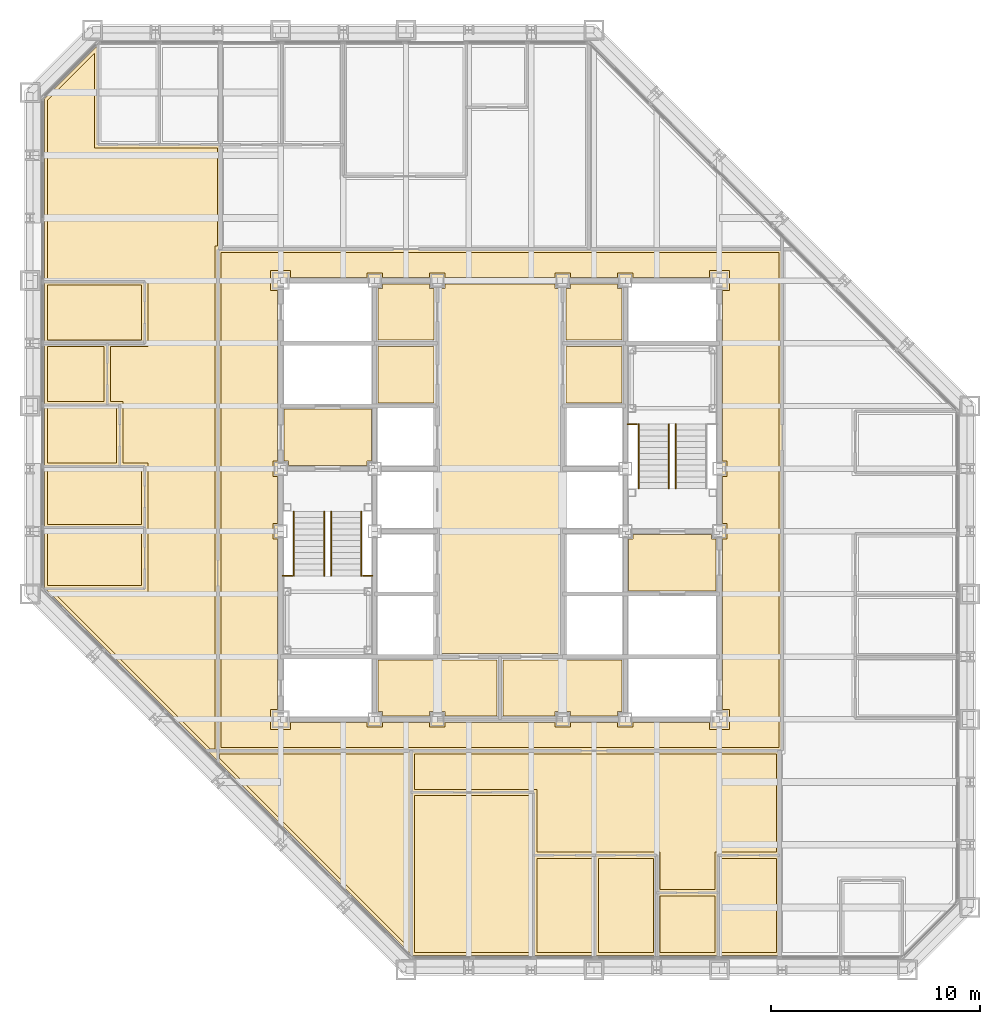
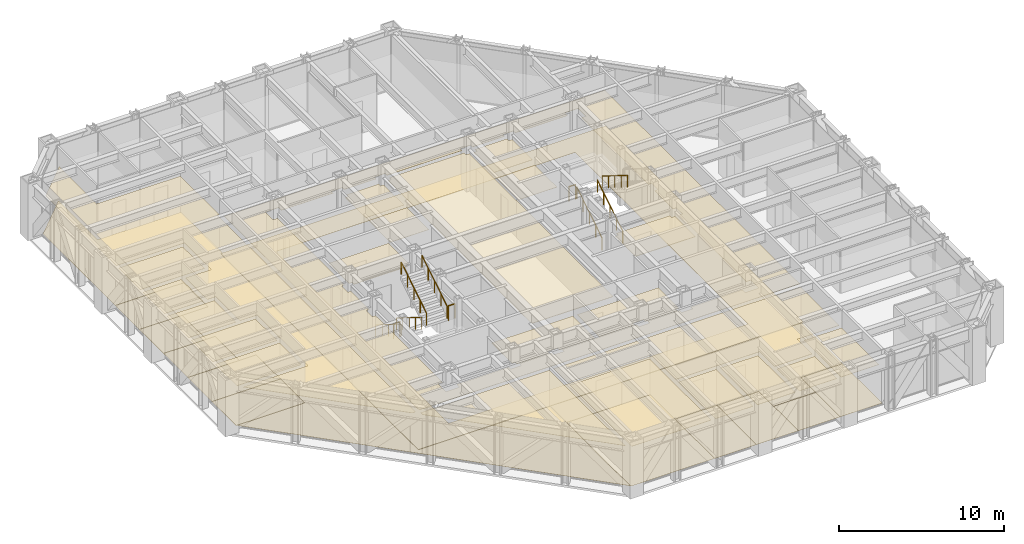
# One storey, part 14 of 16: 36 coverings, 10 railings.
"""IFC4 building model written with IfcOpenShell, lengths in metres."""

from ifc_helpers import new_model, si_unit, direction, frame, origin, origin_2d, place, context, subcontext, project, spatial, polyline, circle, outline, extrude, material, layer, layer_set, type_object, element, save


model = new_model("IFC4")

# Units and contexts
model_context = context("Model", 3, precision=1e-05, world=origin(), true_north=direction((0.0, 1.0)))
body_context = subcontext(model_context, "Body", "Model", "MODEL_VIEW")
ifc_project = project(units=[si_unit("LENGTHUNIT", "METRE"), si_unit("AREAUNIT", "SQUARE_METRE"), si_unit("VOLUMEUNIT", "CUBIC_METRE"), si_unit("PLANEANGLEUNIT", "RADIAN"), si_unit("MASSUNIT", "GRAM", prefix="KILO")], contexts=[model_context])

# Site, building, storey
site_placement = place(None, origin())
site = spatial("IfcSite", under=ifc_project, at=site_placement, CompositionType="ELEMENT")
building_placement = place(site_placement, origin())
building = spatial("IfcBuilding", under=site, at=building_placement, Name="Chuquiago Exchange Tower", CompositionType="ELEMENT")
storey_placement = place(building_placement, frame((0.0, 0.0, 148.800048828125)))
storey = spatial("IfcBuildingStorey", under=building, at=storey_placement, Name="L32", CompositionType="ELEMENT", Elevation=148.800048828125)

# Coverings
ifc_material_1 = material(Name="Mineral fibre tile, 600 x 600, on pale metal grid", Category="mineral fibre")
ifc_layer_1 = layer(ifc_material_1, 0.02001953125)
ifc_layer_set_1 = layer_set([ifc_layer_1], Name="CL1 suspended tile ceiling 20")
covering_type_1 = type_object("IfcCoveringType", Name="CL1 suspended tile ceiling 20", PredefinedType="CEILING", material=ifc_layer_set_1)
covering_1_placement = place(storey_placement, frame((0.0, 0.0, 2.800048828125)))
element("IfcCovering", 1, at=covering_1_placement, inside=storey, type_object=covering_type_1, Name="Ceiling Training room", PredefinedType="CEILING", context=body_context, shape_type="SweptSolid", body=[
    extrude(outline(polyline([(18.3984375, 8.35009765625), (23.974365234375, 8.35009765625), (23.974365234375, 0.85009765625), (18.3984375, 0.85009765625), (18.3984375, 8.35009765625)])), origin(), (0.0, 0.0, 1.0), 0.02001953125),
])
covering_2_placement = place(storey_placement, frame((0.0, 0.0, 2.800048828125)))
element("IfcCovering", 2, at=covering_2_placement, inside=storey, type_object=covering_type_1, Name="Ceiling Office", PredefinedType="CEILING", context=body_context, shape_type="SweptSolid", body=[
    extrude(outline(polyline([(24.2744140625, 5.35009765625), (26.912109375, 5.35009765625), (26.912109375, 0.85009765625), (24.2744140625, 0.85009765625), (24.2744140625, 5.35009765625)])), origin(), (0.0, 0.0, 1.0), 0.02001953125),
])
covering_3_placement = place(storey_placement, frame((0.0, 0.0, 2.800048828125)))
element("IfcCovering", 3, at=covering_3_placement, inside=storey, type_object=covering_type_1, Name="Ceiling Office", PredefinedType="CEILING", context=body_context, shape_type="SweptSolid", body=[
    extrude(outline(polyline([(27.212158203125, 5.35009765625), (29.85009765625, 5.35009765625), (29.85009765625, 0.85009765625), (27.212158203125, 0.85009765625), (27.212158203125, 5.35009765625)])), origin(), (0.0, 0.0, 1.0), 0.02001953125),
])
covering_4_placement = place(storey_placement, frame((0.0, 0.0, 2.800048828125)))
element("IfcCovering", 4, at=covering_4_placement, inside=storey, type_object=covering_type_1, Name="Ceiling Focus room", PredefinedType="CEILING", context=body_context, shape_type="SweptSolid", body=[
    extrude(outline(polyline([(30.14990234375, 3.550048828125), (32.787841796875, 3.550048828125), (32.787841796875, 0.85009765625), (30.14990234375, 0.85009765625), (30.14990234375, 3.550048828125)])), origin(), (0.0, 0.0, 1.0), 0.02001953125),
])
covering_5_placement = place(storey_placement, frame((0.0, 0.0, 2.800048828125)))
element("IfcCovering", 5, at=covering_5_placement, inside=storey, type_object=covering_type_1, Name="Ceiling Office", PredefinedType="CEILING", context=body_context, shape_type="SweptSolid", body=[
    extrude(outline(polyline([(33.087890625, 5.35009765625), (35.7255859375, 5.35009765625), (35.7255859375, 0.85009765625), (33.087890625, 0.85009765625), (33.087890625, 5.35009765625)])), origin(), (0.0, 0.0, 1.0), 0.02001953125),
])
covering_6_placement = place(storey_placement, frame((0.0, 0.0, 2.800048828125)))
element("IfcCovering", 6, at=covering_6_placement, inside=storey, type_object=covering_type_1, Name="Ceiling Office", PredefinedType="CEILING", context=body_context, shape_type="SweptSolid", body=[
    extrude(outline(polyline([(0.85009765625, 21.036376953125), (5.35009765625, 21.036376953125), (5.35009765625, 18.3984375), (0.85009765625, 18.3984375), (0.85009765625, 21.036376953125)])), origin(), (0.0, 0.0, 1.0), 0.02001953125),
])
covering_7_placement = place(storey_placement, frame((0.0, 0.0, 2.800048828125)))
element("IfcCovering", 7, at=covering_7_placement, inside=storey, type_object=covering_type_1, Name="Ceiling Office", PredefinedType="CEILING", context=body_context, shape_type="SweptSolid", body=[
    extrude(outline(polyline([(5.35009765625, 23.974365234375), (5.35009765625, 21.33642578125), (0.85009765625, 21.33642578125), (0.85009765625, 23.974365234375), (5.35009765625, 23.974365234375)])), origin(), (0.0, 0.0, 1.0), 0.02001953125),
])
covering_8_placement = place(storey_placement, frame((0.0, 0.0, 2.800048828125)))
element("IfcCovering", 8, at=covering_8_placement, inside=storey, type_object=covering_type_1, Name="Ceiling Pantry", PredefinedType="CEILING", context=body_context, shape_type="SweptSolid", body=[
    extrude(outline(polyline([(4.14990234375, 26.912109375), (4.14990234375, 24.2744140625), (0.85009765625, 24.2744140625), (0.85009765625, 26.912109375), (4.14990234375, 26.912109375)])), origin(), (0.0, 0.0, 1.0), 0.02001953125),
])
covering_9_placement = place(storey_placement, frame((0.0, 0.0, 2.800048828125)))
element("IfcCovering", 9, at=covering_9_placement, inside=storey, type_object=covering_type_1, Name="Ceiling Focus room", PredefinedType="CEILING", context=body_context, shape_type="SweptSolid", body=[
    extrude(outline(polyline([(3.550048828125, 29.85009765625), (3.550048828125, 27.212158203125), (0.85009765625, 27.212158203125), (0.85009765625, 29.85009765625), (3.550048828125, 29.85009765625)])), origin(), (0.0, 0.0, 1.0), 0.02001953125),
])
covering_10_placement = place(storey_placement, frame((0.0, 0.0, 2.800048828125)))
element("IfcCovering", 10, at=covering_10_placement, inside=storey, type_object=covering_type_1, Name="Ceiling Meeting room", PredefinedType="CEILING", context=body_context, shape_type="SweptSolid", body=[
    extrude(outline(polyline([(5.35009765625, 32.787841796875), (5.35009765625, 30.14990234375), (0.85009765625, 30.14990234375), (0.85009765625, 32.787841796875), (5.35009765625, 32.787841796875)])), origin(), (0.0, 0.0, 1.0), 0.02001953125),
])
covering_11_placement = place(storey_placement, frame((0.0, 0.0, 2.800048828125)))
element("IfcCovering", 11, at=covering_11_placement, inside=storey, type_object=covering_type_1, Name="Ceiling Open office south suite", PredefinedType="CEILING", context=body_context, shape_type="SweptSolid", body=[
    extrude(outline(polyline([(32.787841796875, 3.85009765625), (30.14990234375, 3.85009765625), (30.14990234375, 5.64990234375), (24.2744140625, 5.64990234375), (24.2744140625, 8.64990234375), (18.39892578125, 8.64990234375), (18.39892578125, 10.349609375), (35.72509765625, 10.349609375), (35.72509765625, 5.64990234375), (32.787841796875, 5.64990234375), (32.787841796875, 3.85009765625)])), origin(), (0.0, 0.0, 1.0), 0.02001953125),
])
covering_12_placement = place(storey_placement, frame((0.0, 0.0, 2.800048828125)))
element("IfcCovering", 12, at=covering_12_placement, inside=storey, type_object=covering_type_1, Name="Ceiling Open office west suite", PredefinedType="CEILING", context=body_context, shape_type="SweptSolid", body=[
    extrude(outline(polyline([(3.098388671875, 39.35009765625), (8.973876953125, 39.35009765625), (8.973876953125, 34.64990234375), (8.849609375, 34.6494140625), (8.849609375, 10.5849609375), (8.616943359375, 10.5849609375), (1.103515625, 18.098388671875), (5.64990234375, 18.098388671875), (5.64990234375, 24.2744140625), (4.449951171875, 24.2744140625), (4.449951171875, 27.212158203125), (3.85009765625, 27.212158203125), (3.85009765625, 29.85009765625), (5.64990234375, 29.85009765625), (5.64990234375, 33.087890625), (0.85009765625, 33.087890625), (0.85009765625, 41.64794921875), (3.098388671875, 43.896484375), (3.098388671875, 39.35009765625)])), origin(), (0.0, 0.0, 1.0), 0.02001953125),
])
covering_13_placement = place(storey_placement, frame((0.0, 0.0, 2.800048828125)))
element("IfcCovering", 13, at=covering_13_placement, inside=storey, type_object=covering_type_1, Name="Ceiling Open office west suite", PredefinedType="CEILING", context=body_context, shape_type="SweptSolid", body=[
    extrude(outline(polyline([(18.097900390625, 10.349609375), (18.097900390625, 1.10400390625), (9.0849609375, 10.116943359375), (9.0849609375, 10.349853515625), (18.097900390625, 10.349609375)])), origin(), (0.0, 0.0, 1.0), 0.02001953125),
])
covering_14_placement = place(storey_placement, frame((0.0, 0.0, 2.800048828125)))
element("IfcCovering", 14, at=covering_14_placement, inside=storey, type_object=covering_type_1, Name="Ceiling Tenant corridor", PredefinedType="CEILING", context=body_context, shape_type="SweptSolid", body=[
    extrude(outline(polyline([(9.14990234375, 34.35009765625), (35.85009765625, 34.35009765625), (35.85009765625, 10.64990234375), (9.14990234375, 10.64990234375), (9.14990234375, 34.35009765625)]), holes=[polyline([(11.85009765625, 24.375), (11.625, 24.375), (11.625, 23.625), (11.85009765625, 23.625), (11.85009765625, 21.375), (11.625, 21.375), (11.625, 20.625), (11.85009765625, 20.625), (11.85009765625, 12.47509765625), (11.52490234375, 12.47509765625), (11.52490234375, 11.52490234375), (12.47509765625, 11.52490234375), (12.47509765625, 11.85009765625), (16.125, 11.85009765625), (16.125, 11.625), (16.875, 11.625), (16.875, 11.85009765625), (19.125, 11.85009765625), (19.125, 11.625), (19.875, 11.625), (19.875, 11.85009765625), (25.125, 11.85009765625), (25.125, 11.625), (25.875, 11.625), (25.875, 11.85009765625), (28.125, 11.85009765625), (28.125, 11.625), (28.875, 11.625), (28.875, 11.85009765625), (32.52490234375, 11.85009765625), (32.52490234375, 11.52490234375), (33.47509765625, 11.52490234375), (33.47509765625, 12.47509765625), (33.14990234375, 12.47509765625), (33.14990234375, 20.625), (33.375, 20.625), (33.375, 21.375), (33.14990234375, 21.375), (33.14990234375, 23.625), (33.375, 23.625), (33.375, 24.375), (33.14990234375, 24.375), (33.14990234375, 32.52490234375), (33.47509765625, 32.52490234375), (33.47509765625, 33.47509765625), (32.52490234375, 33.47509765625), (32.52490234375, 33.14990234375), (28.875, 33.14990234375), (28.875, 33.375), (28.125, 33.375), (28.125, 33.14990234375), (25.875, 33.14990234375), (25.875, 33.375), (25.125, 33.375), (25.125, 33.14990234375), (19.875, 33.14990234375), (19.875, 33.375), (19.125, 33.375), (19.125, 33.14990234375), (16.875, 33.14990234375), (16.875, 33.375), (16.125, 33.375), (16.125, 33.14990234375), (12.47509765625, 33.14990234375), (12.47509765625, 33.47509765625), (11.52490234375, 33.47509765625), (11.52490234375, 32.52490234375), (11.85009765625, 32.52490234375), (11.85009765625, 24.375)])]), origin(), (0.0, 0.0, 1.0), 0.02001953125),
])
covering_15_placement = place(storey_placement, frame((0.0, 0.0, 2.800048828125)))
element("IfcCovering", 15, at=covering_15_placement, inside=storey, type_object=covering_type_1, Name="Ceiling Baby change room", PredefinedType="CEILING", context=body_context, shape_type="SweptSolid", body=[
    extrude(outline(polyline([(25.64990234375, 30.14990234375), (25.64990234375, 32.625), (25.875, 32.625), (25.875, 32.85009765625), (28.125, 32.85009765625), (28.125, 32.625), (28.35009765625, 32.625), (28.35009765625, 30.14990234375), (25.64990234375, 30.14990234375)])), origin(), (0.0, 0.0, 1.0), 0.02001953125),
])
ifc_material_2 = material(Name="Moisture resistant plasterboard on metal frame", Category="gypsum")
ifc_layer_2 = layer(ifc_material_2, 0.014892578125)
ifc_layer_set_2 = layer_set([ifc_layer_2], Name="CL2 moisture resistant ceiling 15")
covering_type_2 = type_object("IfcCoveringType", Name="CL2 moisture resistant ceiling 15", PredefinedType="CEILING", material=ifc_layer_set_2)
covering_16_placement = place(storey_placement, frame((0.0, 0.0, 2.599853515625)))
element("IfcCovering", 16, at=covering_16_placement, inside=storey, type_object=covering_type_2, Name="Ceiling Male WC", PredefinedType="CEILING", context=body_context, shape_type="SweptSolid", body=[
    extrude(outline(polyline([(16.64990234375, 27.14990234375), (16.64990234375, 29.85009765625), (19.35009765625, 29.85009765625), (19.35009765625, 27.14990234375), (16.64990234375, 27.14990234375)])), origin(), (0.0, 0.0, 1.0), 0.01513671875),
])
covering_17_placement = place(storey_placement, frame((0.0, 0.0, 2.599853515625)))
element("IfcCovering", 17, at=covering_17_placement, inside=storey, type_object=covering_type_2, Name="Ceiling Staff shower room", PredefinedType="CEILING", context=body_context, shape_type="SweptSolid", body=[
    extrude(outline(polyline([(16.64990234375, 30.14990234375), (16.64990234375, 32.625), (16.875, 32.625), (16.875, 32.85009765625), (19.125, 32.85009765625), (19.125, 32.625), (19.35009765625, 32.625), (19.35009765625, 30.14990234375), (16.64990234375, 30.14990234375)])), origin(), (0.0, 0.0, 1.0), 0.01513671875),
])
covering_18_placement = place(storey_placement, frame((0.0, 0.0, 2.599853515625)))
element("IfcCovering", 18, at=covering_18_placement, inside=storey, type_object=covering_type_2, Name="Ceiling Female WC", PredefinedType="CEILING", context=body_context, shape_type="SweptSolid", body=[
    extrude(outline(polyline([(25.64990234375, 27.14990234375), (25.64990234375, 29.85009765625), (28.35009765625, 29.85009765625), (28.35009765625, 27.14990234375), (25.64990234375, 27.14990234375)])), origin(), (0.0, 0.0, 1.0), 0.01513671875),
])
covering_19_placement = place(storey_placement, frame((0.0, 0.0, 2.599853515625)))
element("IfcCovering", 19, at=covering_19_placement, inside=storey, type_object=covering_type_2, Name="Ceiling Accessible WC", PredefinedType="CEILING", context=body_context, shape_type="SweptSolid", body=[
    extrude(outline(polyline([(25.875, 12.14990234375), (25.875, 12.375), (25.125, 12.375), (25.125, 12.14990234375), (22.64990234375, 12.14990234375), (22.64990234375, 14.85009765625), (28.35009765625, 14.85009765625), (28.35009765625, 12.375), (28.125, 12.375), (28.125, 12.14990234375), (25.875, 12.14990234375)])), origin(), (0.0, 0.0, 1.0), 0.01513671875),
])
covering_20_placement = place(storey_placement, frame((0.0, 0.0, 2.599853515625)))
element("IfcCovering", 20, at=covering_20_placement, inside=storey, type_object=covering_type_2, Name="Ceiling Cleaner", PredefinedType="CEILING", context=body_context, shape_type="SweptSolid", body=[
    extrude(outline(polyline([(19.875, 12.14990234375), (19.875, 12.375), (19.125, 12.375), (19.125, 12.14990234375), (16.875, 12.14990234375), (16.875, 12.375), (16.64990234375, 12.375), (16.64990234375, 14.85009765625), (22.35009765625, 14.85009765625), (22.35009765625, 12.14990234375), (19.875, 12.14990234375)])), origin(), (0.0, 0.0, 1.0), 0.01513671875),
])
ifc_material_3 = material(Name="Pale metal plank ceiling, perforated", Category="aluminium")
ifc_layer_3 = layer(ifc_material_3, 0.030029296875)
ifc_layer_set_3 = layer_set([ifc_layer_3], Name="CL3 metal plank ceiling 30")
covering_type_3 = type_object("IfcCoveringType", Name="CL3 metal plank ceiling 30", PredefinedType="CEILING", material=ifc_layer_set_3)
covering_21_placement = place(storey_placement, frame((0.0, 0.0, 2.800048828125)))
element("IfcCovering", 21, at=covering_21_placement, inside=storey, type_object=covering_type_3, Name="Ceiling Lift lobby", PredefinedType="CEILING", context=body_context, shape_type="SweptSolid", body=[
    extrude(outline(polyline([(19.64990234375, 15.14990234375), (19.64990234375, 32.625), (19.875, 32.625), (19.875, 32.85009765625), (25.125, 32.85009765625), (25.125, 32.625), (25.35009765625, 32.625), (25.35009765625, 15.14990234375), (19.64990234375, 15.14990234375)])), origin(), (0.0, 0.0, 1.0), 0.02978515625),
])
covering_22_placement = place(storey_placement, frame((0.0, 0.0, 2.800048828125)))
element("IfcCovering", 22, at=covering_22_placement, inside=storey, type_object=covering_type_3, Name="Ceiling Firefighting lobby", PredefinedType="CEILING", context=body_context, shape_type="SweptSolid", body=[
    extrude(outline(polyline([(12.375, 24.14990234375), (12.375, 24.375), (12.14990234375, 24.375), (12.14990234375, 26.85009765625), (16.35009765625, 26.85009765625), (16.35009765625, 24.375), (16.125, 24.375), (16.125, 24.14990234375), (12.375, 24.14990234375)])), origin(), (0.0, 0.0, 1.0), 0.02978515625),
])
covering_23_placement = place(storey_placement, frame((0.0, 0.0, 2.800048828125)))
element("IfcCovering", 23, at=covering_23_placement, inside=storey, type_object=covering_type_3, Name="Ceiling Firefighting lobby", PredefinedType="CEILING", context=body_context, shape_type="SweptSolid", body=[
    extrude(outline(polyline([(28.64990234375, 18.14990234375), (28.64990234375, 20.625), (28.875, 20.625), (28.875, 20.85009765625), (32.625, 20.85009765625), (32.625, 20.625), (32.85009765625, 20.625), (32.85009765625, 18.14990234375), (28.64990234375, 18.14990234375)])), origin(), (0.0, 0.0, 1.0), 0.02978515625),
])
ifc_material_4 = material(Name="Carpet tile, 500 x 500, on the floor slab", Category="textile")
ifc_layer_4 = layer(ifc_material_4, 0.010009765625)
ifc_layer_set_4 = layer_set([ifc_layer_4], Name="FL1 carpet tile 10")
covering_type_4 = type_object("IfcCoveringType", Name="FL1 carpet tile 10", PredefinedType="FLOORING", material=ifc_layer_set_4)
covering_24_placement = place(storey_placement, origin())
element("IfcCovering", 24, at=covering_24_placement, inside=storey, type_object=covering_type_4, Name="Floor finish Training room", PredefinedType="FLOORING", context=body_context, shape_type="SweptSolid", body=[
    extrude(outline(polyline([(18.289794921875, 0.699951171875), (18.24853515625, 0.741455078125), (18.24853515625, 8.5), (24.124267578125, 8.5), (24.124267578125, 0.699951171875), (18.289794921875, 0.699951171875)])), origin(), (0.0, 0.0, 1.0), 0.010009765625),
])
covering_25_placement = place(storey_placement, origin())
element("IfcCovering", 25, at=covering_25_placement, inside=storey, type_object=covering_type_4, Name="Floor finish Office", PredefinedType="FLOORING", context=body_context, shape_type="SweptSolid", body=[
    extrude(outline(polyline([(24.124267578125, 0.699951171875), (24.124267578125, 5.5), (27.06201171875, 5.5), (27.06201171875, 0.699951171875), (24.124267578125, 0.699951171875)])), origin(), (0.0, 0.0, 1.0), 0.010009765625),
])
covering_26_placement = place(storey_placement, origin())
element("IfcCovering", 26, at=covering_26_placement, inside=storey, type_object=covering_type_4, Name="Floor finish Office", PredefinedType="FLOORING", context=body_context, shape_type="SweptSolid", body=[
    extrude(outline(polyline([(27.06201171875, 0.699951171875), (27.06201171875, 5.5), (30.0, 5.5), (30.0, 0.699951171875), (27.06201171875, 0.699951171875)])), origin(), (0.0, 0.0, 1.0), 0.010009765625),
])
covering_27_placement = place(storey_placement, origin())
element("IfcCovering", 27, at=covering_27_placement, inside=storey, type_object=covering_type_4, Name="Floor finish Focus room", PredefinedType="FLOORING", context=body_context, shape_type="SweptSolid", body=[
    extrude(outline(polyline([(30.0, 0.699951171875), (30.0, 3.699951171875), (32.93798828125, 3.699951171875), (32.93798828125, 0.699951171875), (30.0, 0.699951171875)])), origin(), (0.0, 0.0, 1.0), 0.010009765625),
])
covering_28_placement = place(storey_placement, origin())
element("IfcCovering", 28, at=covering_28_placement, inside=storey, type_object=covering_type_4, Name="Floor finish Office", PredefinedType="FLOORING", context=body_context, shape_type="SweptSolid", body=[
    extrude(outline(polyline([(32.93798828125, 0.699951171875), (32.93798828125, 5.5), (35.875732421875, 5.5), (35.875732421875, 0.699951171875), (32.93798828125, 0.699951171875)])), origin(), (0.0, 0.0, 1.0), 0.010009765625),
])
covering_29_placement = place(storey_placement, origin())
element("IfcCovering", 29, at=covering_29_placement, inside=storey, type_object=covering_type_4, Name="Floor finish Office", PredefinedType="FLOORING", context=body_context, shape_type="SweptSolid", body=[
    extrude(outline(polyline([(0.699951171875, 21.186279296875), (5.5, 21.186279296875), (5.5, 18.24853515625), (0.741455078125, 18.24853515625), (0.699951171875, 18.289794921875), (0.699951171875, 21.186279296875)])), origin(), (0.0, 0.0, 1.0), 0.010009765625),
])
covering_30_placement = place(storey_placement, origin())
element("IfcCovering", 30, at=covering_30_placement, inside=storey, type_object=covering_type_4, Name="Floor finish Office", PredefinedType="FLOORING", context=body_context, shape_type="SweptSolid", body=[
    extrude(outline(polyline([(0.699951171875, 24.124267578125), (5.5, 24.124267578125), (5.5, 21.186279296875), (0.699951171875, 21.186279296875), (0.699951171875, 24.124267578125)])), origin(), (0.0, 0.0, 1.0), 0.010009765625),
])
covering_31_placement = place(storey_placement, origin())
element("IfcCovering", 31, at=covering_31_placement, inside=storey, type_object=covering_type_4, Name="Floor finish Focus room", PredefinedType="FLOORING", context=body_context, shape_type="SweptSolid", body=[
    extrude(outline(polyline([(0.699951171875, 30.0), (3.699951171875, 30.0), (3.699951171875, 27.06201171875), (0.699951171875, 27.06201171875), (0.699951171875, 30.0)])), origin(), (0.0, 0.0, 1.0), 0.010009765625),
])
covering_32_placement = place(storey_placement, origin())
element("IfcCovering", 32, at=covering_32_placement, inside=storey, type_object=covering_type_4, Name="Floor finish Meeting room", PredefinedType="FLOORING", context=body_context, shape_type="SweptSolid", body=[
    extrude(outline(polyline([(0.699951171875, 32.93798828125), (5.5, 32.93798828125), (5.5, 30.0), (0.699951171875, 30.0), (0.699951171875, 32.93798828125)])), origin(), (0.0, 0.0, 1.0), 0.010009765625),
])
covering_33_placement = place(storey_placement, origin())
element("IfcCovering", 33, at=covering_33_placement, inside=storey, type_object=covering_type_4, Name="Floor finish Open office south suite", PredefinedType="FLOORING", context=body_context, shape_type="SweptSolid", body=[
    extrude(outline(polyline([(32.93798828125, 5.5), (32.93798828125, 3.699951171875), (30.0, 3.699951171875), (30.0, 5.5), (24.124267578125, 5.5), (24.124267578125, 8.5), (18.2490234375, 8.5), (18.2490234375, 10.49951171875), (35.875244140625, 10.49951171875), (35.875244140625, 5.5), (32.93798828125, 5.5)])), origin(), (0.0, 0.0, 1.0), 0.010009765625),
])
covering_34_placement = place(storey_placement, origin())
element("IfcCovering", 34, at=covering_34_placement, inside=storey, type_object=covering_type_4, Name="Floor finish Open office west suite", PredefinedType="FLOORING", context=body_context, shape_type="SweptSolid", body=[
    extrude(outline(polyline([(3.24853515625, 44.258544921875), (3.24853515625, 39.5), (9.123779296875, 39.5), (9.123779296875, 34.50048828125), (8.99951171875, 34.5), (8.99951171875, 10.5), (18.248046875, 10.49951171875), (18.248046875, 0.741943359375), (0.741455078125, 18.24853515625), (5.5, 18.24853515625), (5.5, 24.124267578125), (4.300048828125, 24.124267578125), (4.300048828125, 27.06201171875), (3.699951171875, 27.06201171875), (3.699951171875, 30.0), (5.5, 30.0), (5.5, 32.93798828125), (0.699951171875, 32.93798828125), (0.699951171875, 41.710205078125), (3.289794921875, 44.300048828125), (3.24853515625, 44.258544921875)])), origin(), (0.0, 0.0, 1.0), 0.010009765625),
])
ifc_material_5 = material(Name="Porcelain floor tile, 600 x 600, on adhesive bed", Category="ceramic")
ifc_layer_5 = layer(ifc_material_5, 0.014892578125)
ifc_layer_set_5 = layer_set([ifc_layer_5], Name="FL2 porcelain tile 15")
covering_type_5 = type_object("IfcCoveringType", Name="FL2 porcelain tile 15", PredefinedType="FLOORING", material=ifc_layer_set_5)
covering_35_placement = place(storey_placement, origin())
element("IfcCovering", 35, at=covering_35_placement, inside=storey, type_object=covering_type_5, Name="Floor finish Pantry", PredefinedType="FLOORING", context=body_context, shape_type="SweptSolid", body=[
    extrude(outline(polyline([(0.699951171875, 27.06201171875), (4.300048828125, 27.06201171875), (4.300048828125, 24.124267578125), (0.699951171875, 24.124267578125), (0.699951171875, 27.06201171875)])), origin(), (0.0, 0.0, 1.0), 0.014892578125),
])
covering_36_placement = place(storey_placement, origin())
element("IfcCovering", 36, at=covering_36_placement, inside=storey, type_object=covering_type_5, Name="Floor finish Tenant corridor", PredefinedType="FLOORING", context=body_context, shape_type="SweptSolid", body=[
    extrude(outline(polyline([(9.0, 10.5), (9.0, 34.5), (36.0, 34.5), (36.0, 10.5), (9.0, 10.5)]), holes=[polyline([(12.0, 33.0), (12.0, 12.0), (33.0, 12.0), (33.0, 33.0), (12.0, 33.0)])]), origin(), (0.0, 0.0, 1.0), 0.014892578125),
])

# Railings
ifc_material_6 = material(Name="Pale metal guard with safety glass infill", Category="glass")
railing_type_1 = type_object("IfcRailingType", Name="GR1 guard 1100", PredefinedType="GUARDRAIL", material=ifc_material_6)
for number, where, name in (
    (37, (12.10009765625, 18.8701171875, 2.099853515625), "Guard ST1 L32 landing 2"),
    (38, (15.945068359375, 18.8701171875, 2.099853515625), "Guard ST1 L32 landing 2"),
    (39, (28.60009765625, 26.1298828125, 2.099853515625), "Guard ST2 L32 landing 2"),
):
    element("IfcRailing", number, at=place(storey_placement, frame(where)), inside=storey, type_object=railing_type_1, Name=name, PredefinedType="GUARDRAIL", context=body_context, shape_type="SweptSolid", body=[
        extrude(circle(Radius=0.02392578125, at=origin_2d()), frame((0.0, 0.0, 1.076171875), z_axis=(1.0, 0.0, 0.0), x_axis=(0.0, 1.0, 0.0)), (0.0, 0.0, 1.0), 0.454833984375),
        extrude(circle(Radius=0.02099609375, at=origin_2d()), origin(), (0.0, 0.0, 1.0), 1.052001953125),
        extrude(circle(Radius=0.02099609375, at=origin_2d()), frame((0.454833984375, 0.0, 0.0)), (0.0, 0.0, 1.0), 1.052001953125),
    ])
ifc_material_7 = material(Name="Pale metal handrail", Category="steel")
railing_type_2 = type_object("IfcRailingType", Name="HR1 handrail 900", PredefinedType="HANDRAIL", material=ifc_material_7)
for number, where, name in (
    (40, (12.635009765625, 21.949951171875, 0.175048828125), "Handrail ST1 L32 flight 1"),
    (41, (14.0849609375, 21.949951171875, 0.175048828125), "Handrail ST1 L32 flight 1"),
):
    element("IfcRailing", number, at=place(storey_placement, frame(where)), inside=storey, type_object=railing_type_2, Name=name, PredefinedType="HANDRAIL", context=body_context, shape_type="SweptSolid", body=[
        extrude(circle(Radius=0.02392578125, at=origin_2d()), frame((0.0, 0.0, 0.8759765625), z_axis=(0.0, -0.848009633417, 0.529980812513), x_axis=(1.0, 0.0, 0.0)), (0.0, 0.0, 1.0), 3.6318359375),
        extrude(circle(Radius=0.02099609375, at=origin_2d()), origin(), (0.0, 0.0, 1.0), 0.851806640625),
        extrude(circle(Radius=0.02099609375, at=origin_2d()), frame((0.0, -0.77001953125, 0.481201171875)), (0.0, 0.0, 1.0), 0.851806640625),
        extrude(circle(Radius=0.02099609375, at=origin_2d()), frame((0.0, -1.5400390625, 0.96240234375)), (0.0, 0.0, 1.0), 0.851806640625),
        extrude(circle(Radius=0.02099609375, at=origin_2d()), frame((0.0, -2.309814453125, 1.443603515625)), (0.0, 0.0, 1.0), 0.851806640625),
        extrude(circle(Radius=0.02099609375, at=origin_2d()), frame((0.0, -3.079833984375, 1.9248046875)), (0.0, 0.0, 1.0), 0.851806640625),
    ])
for number, where, name in (
    (42, (15.864990234375, 18.8701171875, 2.27490234375), "Handrail ST1 L32 flight 2"),
    (43, (14.4150390625, 18.8701171875, 2.27490234375), "Handrail ST1 L32 flight 2"),
):
    element("IfcRailing", number, at=place(storey_placement, frame(where)), inside=storey, type_object=railing_type_2, Name=name, PredefinedType="HANDRAIL", context=body_context, shape_type="SweptSolid", body=[
        extrude(circle(Radius=0.02392578125, at=origin_2d()), frame((0.0, 0.0, 0.8759765625), z_axis=(0.0, 0.847979421464, 0.530029150871), x_axis=(-1.0, 0.0, 0.0)), (0.0, 0.0, 1.0), 3.632080078125),
        extrude(circle(Radius=0.02099609375, at=origin_2d()), origin(), (0.0, 0.0, 1.0), 0.851806640625),
        extrude(circle(Radius=0.02099609375, at=origin_2d()), frame((0.0, 0.77001953125, 0.481201171875)), (0.0, 0.0, 1.0), 0.851806640625),
        extrude(circle(Radius=0.02099609375, at=origin_2d()), frame((0.0, 1.5400390625, 0.96240234375)), (0.0, 0.0, 1.0), 0.851806640625),
        extrude(circle(Radius=0.02099609375, at=origin_2d()), frame((0.0, 2.309814453125, 1.44384765625)), (0.0, 0.0, 1.0), 0.851806640625),
        extrude(circle(Radius=0.02099609375, at=origin_2d()), frame((0.0, 3.079833984375, 1.925048828125)), (0.0, 0.0, 1.0), 0.851806640625),
    ])
for number, where, name in (
    (44, (30.5849609375, 23.050048828125, 0.175048828125), "Handrail ST2 L32 flight 1"),
    (45, (29.135009765625, 23.050048828125, 0.175048828125), "Handrail ST2 L32 flight 1"),
):
    element("IfcRailing", number, at=place(storey_placement, frame(where)), inside=storey, type_object=railing_type_2, Name=name, PredefinedType="HANDRAIL", context=body_context, shape_type="SweptSolid", body=[
        extrude(circle(Radius=0.02392578125, at=origin_2d()), frame((0.0, 0.0, 0.8759765625), z_axis=(0.0, 0.848009633417, 0.529980812513), x_axis=(-1.0, 0.0, 0.0)), (0.0, 0.0, 1.0), 3.6318359375),
        extrude(circle(Radius=0.02099609375, at=origin_2d()), origin(), (0.0, 0.0, 1.0), 0.851806640625),
        extrude(circle(Radius=0.02099609375, at=origin_2d()), frame((0.0, 0.77001953125, 0.481201171875)), (0.0, 0.0, 1.0), 0.851806640625),
        extrude(circle(Radius=0.02099609375, at=origin_2d()), frame((0.0, 1.5400390625, 0.96240234375)), (0.0, 0.0, 1.0), 0.851806640625),
        extrude(circle(Radius=0.02099609375, at=origin_2d()), frame((0.0, 2.309814453125, 1.443603515625)), (0.0, 0.0, 1.0), 0.851806640625),
        extrude(circle(Radius=0.02099609375, at=origin_2d()), frame((0.0, 3.079833984375, 1.9248046875)), (0.0, 0.0, 1.0), 0.851806640625),
    ])
railing_placement = place(storey_placement, frame((30.9150390625, 26.1298828125, 2.27490234375)))
element("IfcRailing", 46, at=railing_placement, inside=storey, type_object=railing_type_2, Name="Handrail ST2 L32 flight 2", PredefinedType="HANDRAIL", context=body_context, shape_type="SweptSolid", body=[
    extrude(circle(Radius=0.02392578125, at=origin_2d()), frame((0.0, 0.0, 0.8759765625), z_axis=(0.0, -0.847979421464, 0.530029150871), x_axis=(1.0, 0.0, 0.0)), (0.0, 0.0, 1.0), 3.632080078125),
    extrude(circle(Radius=0.02099609375, at=origin_2d()), origin(), (0.0, 0.0, 1.0), 0.851806640625),
    extrude(circle(Radius=0.02099609375, at=origin_2d()), frame((0.0, -0.77001953125, 0.481201171875)), (0.0, 0.0, 1.0), 0.851806640625),
    extrude(circle(Radius=0.02099609375, at=origin_2d()), frame((0.0, -1.5400390625, 0.96240234375)), (0.0, 0.0, 1.0), 0.851806640625),
    extrude(circle(Radius=0.02099609375, at=origin_2d()), frame((0.0, -2.309814453125, 1.44384765625)), (0.0, 0.0, 1.0), 0.851806640625),
    extrude(circle(Radius=0.02099609375, at=origin_2d()), frame((0.0, -3.079833984375, 1.925048828125)), (0.0, 0.0, 1.0), 0.851806640625),
])

save(model, "model.ifc")
